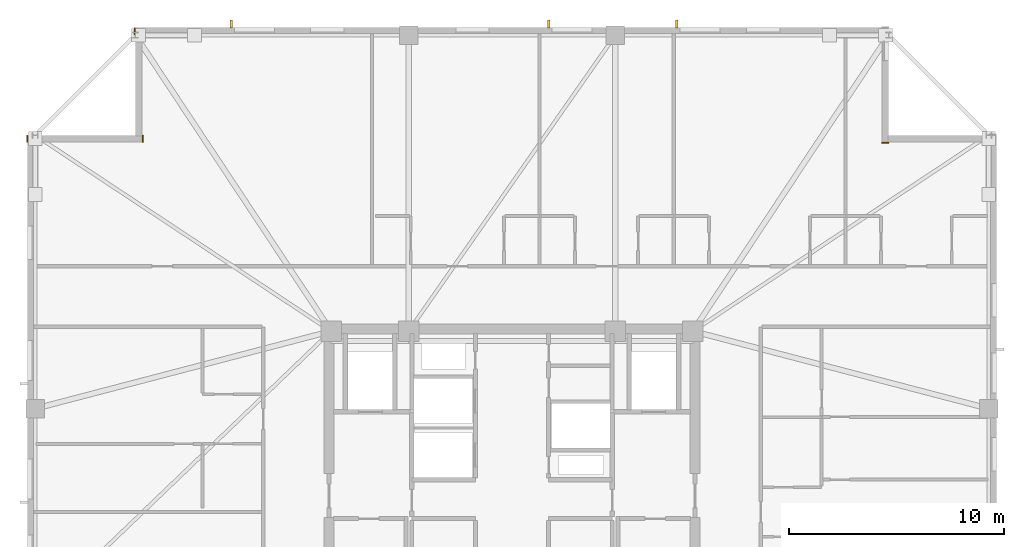
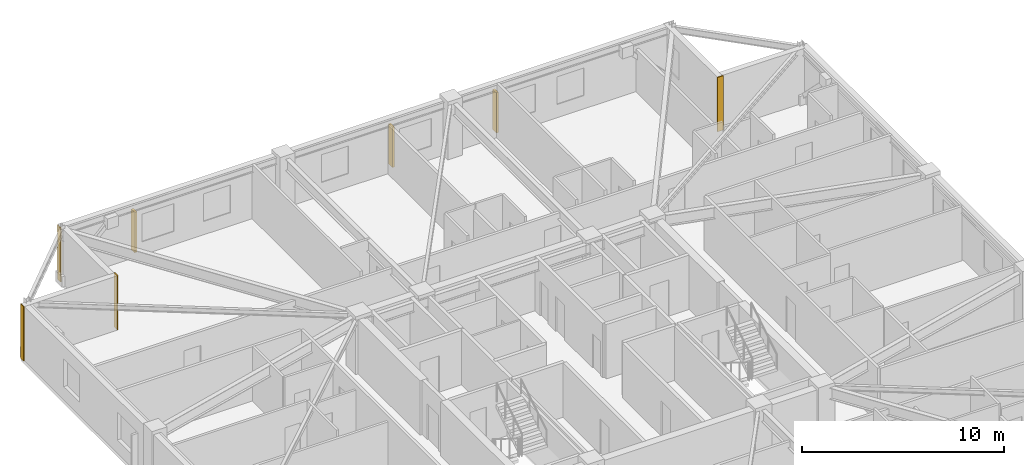
# One storey, part 14 of 15: 4 coverings, 3 shading devices.
"""IFC4 building model written with IfcOpenShell, lengths in metres."""

from ifc_helpers import new_model, si_unit, direction, frame, frame_2d, origin, origin_2d, place, context, subcontext, project, spatial, rectangle, extrude, material, layer, layer_set, type_object, element, save


model = new_model("IFC4")

# Units and contexts
model_context = context("Model", 3, precision=1e-05, world=origin(), true_north=direction((0.0, 1.0)))
body_context = subcontext(model_context, "Body", "Model", "MODEL_VIEW")
ifc_project = project(units=[si_unit("LENGTHUNIT", "METRE"), si_unit("AREAUNIT", "SQUARE_METRE"), si_unit("VOLUMEUNIT", "CUBIC_METRE"), si_unit("PLANEANGLEUNIT", "RADIAN"), si_unit("MASSUNIT", "GRAM", prefix="KILO")], contexts=[model_context])

# Site, building, storey
site_placement = place(None, origin())
site = spatial("IfcSite", under=ifc_project, at=site_placement, CompositionType="ELEMENT")
building_placement = place(site_placement, origin())
building = spatial("IfcBuilding", under=site, at=building_placement, Name="Cairnveth Concourse Tower", CompositionType="ELEMENT")
storey_placement = place(building_placement, frame((0.0, 0.0, 265.5)))
storey = spatial("IfcBuildingStorey", under=building, at=storey_placement, Name="L73", CompositionType="ELEMENT", Elevation=265.5)

# Coverings
ifc_material_1 = material(Name="Dressed Melbourne Bluestone Cladding", Category="masonry")
ifc_layer = layer(ifc_material_1, 0.050048828125)
ifc_layer_set = layer_set([ifc_layer], Name="Dressed Melbourne Bluestone Cladding")
covering_type = type_object("IfcCoveringType", Name="DRESSED BLUESTONE PLINTH CLADDING 50", PredefinedType="CLADDING", material=ifc_layer_set)
for number, where, z_axis, x_axis, name in (
    (1, (29.47998046875, 56.179931640625, 0.0), (0.0, 0.0, 1.0), (0.0, 1.0, 0.0), "Melbourne Bluestone Corner Quoin L73-1107"),
    (2, (34.840087890625, 56.179931640625, 0.0), (0.0, 0.0, 1.0), (0.0, 1.0, 0.0), "Melbourne Bluestone Corner Quoin L73-1108"),
    (3, (34.47998046875, 61.179931640625, 0.0), (0.0, 0.0, 1.0), (0.0, 1.0, 0.0), "Melbourne Bluestone Corner Quoin L73-1109"),
    (4, (69.179931640625, 56.159912109375, 0.0), (0.0, 0.0, 1.0), (1.0, 0.0, 0.0), "Melbourne Bluestone Corner Quoin L73-1111"),
):
    element("IfcCovering", number, at=place(storey_placement, frame(where, z_axis=z_axis, x_axis=x_axis)), inside=storey, type_object=covering_type, Name=name, PredefinedType="CLADDING", context=body_context, shape_type="SweptSolid", body=[
        extrude(rectangle(XDim=0.320068359375, YDim=0.050048828125, at=frame_2d((0.16015625, 0.0))), origin(), (0.0, 0.0, 1.0), 3.2900390625),
    ])

# Shading devices
ifc_material_2 = material(Name="Architectural Bronze Anodised Aluminium 6063-T6", Category="aluminium")
shading_device_type = type_object("IfcShadingDeviceType", Name="GOTHIC BRONZE VERTICAL LANCET FIN", PredefinedType="USERDEFINED", material=ifc_material_2)
for number, where, z_axis, x_axis, name in (
    (5, (38.95263671875, 61.675048828125, 0.030029296875), (0.0, 0.0, 1.0), (1.0, 0.0, 0.0), "Gothic Bronze Vertical Fin L73-6-1"),
    (6, (53.70361328125, 61.675048828125, 0.030029296875), (0.0, 0.0, 1.0), (1.0, 0.0, 0.0), "Gothic Bronze Vertical Fin L73-6-5"),
    (7, (59.654052734375, 61.675048828125, 0.030029296875), (0.0, 0.0, 1.0), (1.0, 0.0, 0.0), "Gothic Bronze Vertical Fin L73-6-7"),
):
    element("IfcShadingDevice", number, at=place(storey_placement, frame(where, z_axis=z_axis, x_axis=x_axis)), inside=storey, type_object=shading_device_type, Name=name, ObjectType="VERTICAL FIN", PredefinedType="USERDEFINED", context=body_context, shape_type="SweptSolid", body=[
        extrude(rectangle(XDim=0.1201171875, YDim=0.360107421875, at=origin_2d()), origin(), (0.0, 0.0, 1.0), 2.43798828125),
    ])

save(model, "model.ifc")
